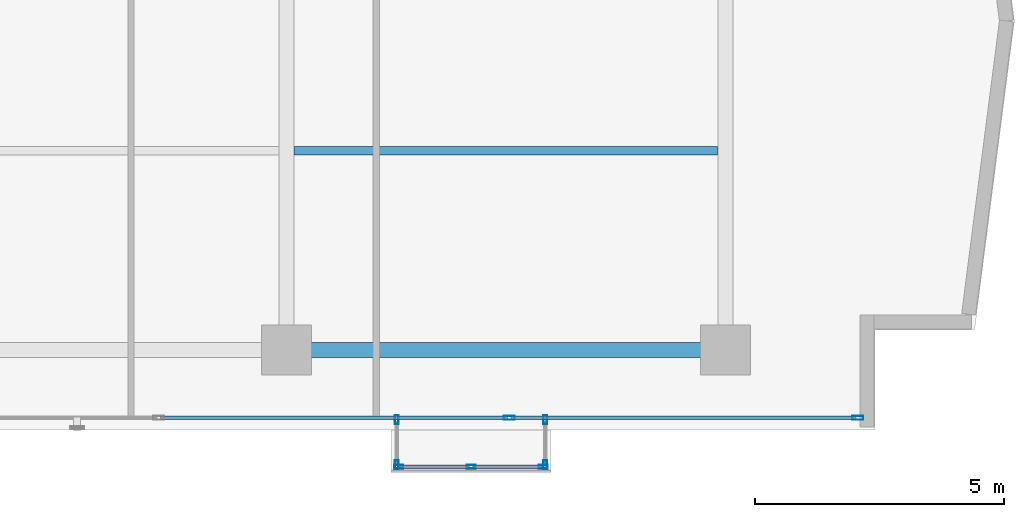
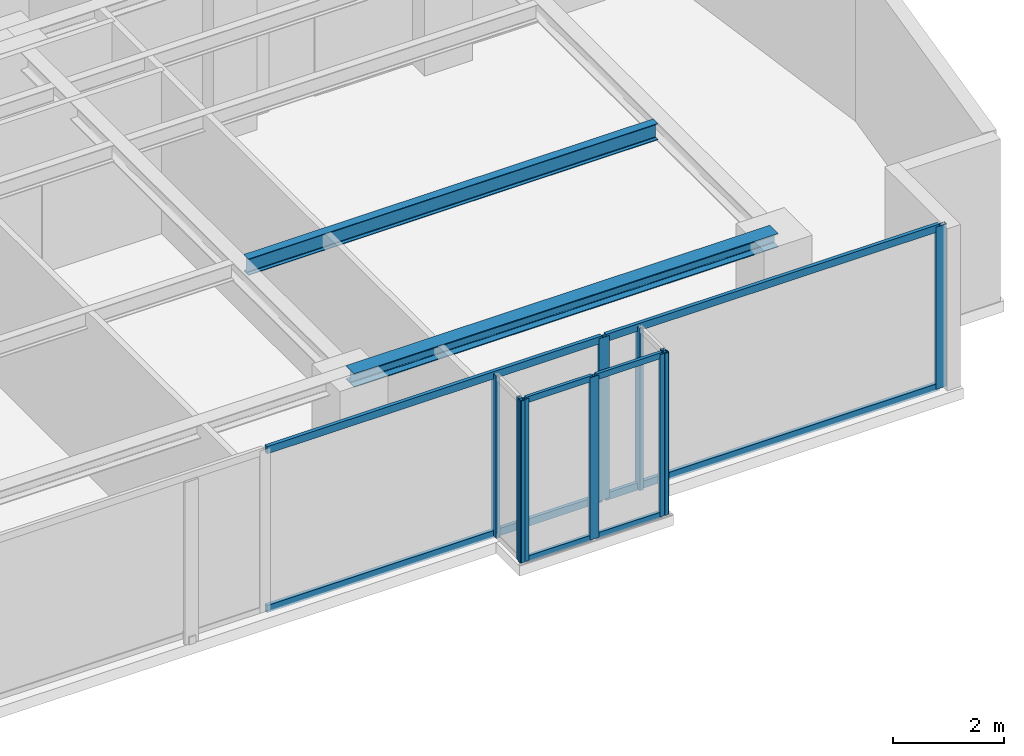
# One storey, part 10 of 23: 17 members, 2 beams, 4 elements without a shape of their own.
"""IFC4 building model written with IfcOpenShell, lengths in metres."""

import ifcopenshell
import ifcopenshell.guid

model = None  # the IFC model being written
_history = None  # IfcOwnerHistory: only IFC2X3 demands one
_inside = {}  # id of a spatial element -> (the spatial element, [elements in it])
_under = {}  # id of a project, library or spatial element -> (it, [spatial elements below it])
_declared = {}  # id of a project -> (the project, [libraries it declares])
_typed = {}  # id of a type object -> (the type object, [elements of that type])
_made_of = {}  # id of a material, layer set ... -> (it, [elements and type objects made of it])


def new_model(schema):
    """Start an empty IFC model of exactly this schema.

    Asked for "IFC4X3", IfcOpenShell would pick the latest addendum, in which some entities
    have other attributes; the version numbers below select the first issue.
    IFC2X3 requires an IfcOwnerHistory on every rooted entity: one is made here for all.
    """
    global model, _history
    if schema == "IFC4X3":
        model = ifcopenshell.file(schema_version=(4, 3, 0, 0))
    else:
        model = ifcopenshell.file(schema=schema)
    _inside.clear()
    _under.clear()
    _declared.clear()
    _typed.clear()
    _made_of.clear()
    _history = None
    if model.schema == "IFC2X3":
        org = make("IfcOrganization", Name="unknown")
        user = make(
            "IfcPersonAndOrganization",
            ThePerson=make("IfcPerson", FamilyName="unknown"),
            TheOrganization=org,
        )
        app = make(
            "IfcApplication",
            ApplicationDeveloper=org,
            Version="unknown",
            ApplicationFullName="unknown",
            ApplicationIdentifier="unknown",
        )
        _history = make(
            "IfcOwnerHistory",
            OwningUser=user,
            OwningApplication=app,
            ChangeAction="ADDED",
            CreationDate=0,
        )
    return model


def make(cls, **values):
    """One entity of the class cls with the attributes given. An attribute that is None is left unset."""
    return model.create_entity(
        cls, **{name: value for name, value in values.items() if value is not None}
    )


def rooted(cls, **values):
    """An entity with a GlobalId (a new one), such as an element, a storey or a relation."""
    return make(cls, GlobalId=ifcopenshell.guid.new(), OwnerHistory=_history, **values)


def si_unit(unit_type, name, prefix=None):
    """IfcSIUnit, for example si_unit("LENGTHUNIT", "METRE", prefix="MILLI")."""
    return make("IfcSIUnit", UnitType=unit_type, Prefix=prefix, Name=name)


def assignment(units):
    """IfcUnitAssignment: the units of a project."""
    return None if units is None else make("IfcUnitAssignment", Units=units)


def point(xyz):
    """IfcCartesianPoint."""
    return None if xyz is None else make("IfcCartesianPoint", Coordinates=xyz)


def direction(xyz):
    """IfcDirection."""
    return None if xyz is None else make("IfcDirection", DirectionRatios=xyz)


def frame(location, z_axis=None, x_axis=None):
    """IfcAxis2Placement3D, a coordinate frame: its origin and axes. An axis left out is left unset."""
    return make(
        "IfcAxis2Placement3D",
        Location=point(location),
        Axis=direction(z_axis),
        RefDirection=direction(x_axis),
    )


def frame_2d(location, x_axis=None):
    """IfcAxis2Placement2D, a coordinate frame in the plane: its origin and x axis."""
    return make(
        "IfcAxis2Placement2D", Location=point(location), RefDirection=direction(x_axis)
    )


def origin():
    """The frame at (0, 0, 0) with its axes left unset."""
    return frame((0.0, 0.0, 0.0))


def origin_with_axes():
    """The frame at (0, 0, 0) with the z axis (0, 0, 1) and the x axis (1, 0, 0) written out."""
    return frame((0.0, 0.0, 0.0), z_axis=(0.0, 0.0, 1.0), x_axis=(1.0, 0.0, 0.0))


def origin_2d():
    """The frame at (0, 0) in the plane with its x axis left unset."""
    return frame_2d((0.0, 0.0))


def place(relative_to, where):
    """IfcLocalPlacement: puts the frame where relative to a parent placement (None: the world)."""
    return make(
        "IfcLocalPlacement", PlacementRelTo=relative_to, RelativePlacement=where
    )


def context(
    kind, dimensions, precision=None, world=None, true_north=None, identifier=None
):
    """IfcGeometricRepresentationContext, for example the 3D "Model" context."""
    return make(
        "IfcGeometricRepresentationContext",
        ContextIdentifier=identifier,
        ContextType=kind,
        CoordinateSpaceDimension=dimensions,
        Precision=precision,
        WorldCoordinateSystem=world,
        TrueNorth=true_north,
    )


def subcontext(parent, identifier, kind, view, scale=None):
    """IfcGeometricRepresentationSubContext, for example "Body" below "Model"."""
    return make(
        "IfcGeometricRepresentationSubContext",
        ContextIdentifier=identifier,
        ContextType=kind,
        ParentContext=parent,
        TargetScale=scale,
        TargetView=view,
    )


def project(units=None, contexts=None):
    """IfcProject with its units and contexts."""
    return rooted(
        "IfcProject",
        Name="project",
        RepresentationContexts=contexts,
        UnitsInContext=assignment(units),
    )


def spatial(cls, under=None, at=None, **own):
    """A site, building, storey or space (cls), placed at a placement, below another one or the project."""
    s = rooted(cls, ObjectPlacement=at, **own)
    if under is not None:
        _under.setdefault(under.id(), (under, []))[1].append(s)
    return s


def profile(cls, at=None, kind="AREA", **sizes):
    """A parametric profile (cls). Its sizes go by their IFC names, for example OverallWidth=200.0."""
    return make(cls, ProfileType=kind, Position=at, **sizes)


def hollow_rectangle(**sizes):
    """IfcRectangleHollowProfileDef."""
    return profile("IfcRectangleHollowProfileDef", **sizes)


def i_section(**sizes):
    """IfcIShapeProfileDef."""
    return profile("IfcIShapeProfileDef", **sizes)


def extrude(swept, where, along, depth):
    """IfcExtrudedAreaSolid: the profile swept, set in the frame where, extruded along a direction by depth."""
    return make(
        "IfcExtrudedAreaSolid",
        SweptArea=swept,
        Position=where,
        ExtrudedDirection=direction(along),
        Depth=depth,
    )


def shape(context_of_items, identifier, shape_type, items):
    """IfcShapeRepresentation: the items that make up one representation, for example the "Body"."""
    return make(
        "IfcShapeRepresentation",
        ContextOfItems=context_of_items,
        RepresentationIdentifier=identifier,
        RepresentationType=shape_type,
        Items=items,
    )


def source(mapping_origin, context_of_items, identifier, shape_type, items):
    """IfcRepresentationMap: a shape defined once, which mapped items show again and again."""
    return make(
        "IfcRepresentationMap",
        MappingOrigin=mapping_origin,
        MappedRepresentation=shape(context_of_items, identifier, shape_type, items),
    )


def transform(
    local_origin,
    x_axis=None,
    y_axis=None,
    z_axis=None,
    scale=None,
    scale2=None,
    scale3=None,
    uniform=True,
):
    """IfcCartesianTransformationOperator3D, or its non-uniform kind. x_axis, y_axis, z_axis: its Axis1, 2, 3."""
    if uniform:
        return make(
            "IfcCartesianTransformationOperator3D",
            Axis1=direction(x_axis),
            Axis2=direction(y_axis),
            LocalOrigin=point(local_origin),
            Scale=scale,
            Axis3=direction(z_axis),
        )
    return make(
        "IfcCartesianTransformationOperator3DnonUniform",
        Axis1=direction(x_axis),
        Axis2=direction(y_axis),
        LocalOrigin=point(local_origin),
        Scale=scale,
        Axis3=direction(z_axis),
        Scale2=scale2,
        Scale3=scale3,
    )


def mapped(mapping_source, mapping_target):
    """IfcMappedItem: shows the shape of a source again, moved by a transform."""
    return make(
        "IfcMappedItem", MappingSource=mapping_source, MappingTarget=mapping_target
    )


def material(Name=None, Category=None):
    """IfcMaterial."""
    return make("IfcMaterial", Name=Name, Category=Category)


def layer(
    of_material, thickness, ventilated=None, Name=None, Category=None, Priority=None
):
    """IfcMaterialLayer: one layer of a wall or slab, of a material (None: an air gap)."""
    return make(
        "IfcMaterialLayer",
        Material=of_material,
        LayerThickness=thickness,
        IsVentilated=ventilated,
        Name=Name,
        Category=Category,
        Priority=Priority,
    )


def layer_set(layers, Name=None):
    """IfcMaterialLayerSet."""
    return make("IfcMaterialLayerSet", MaterialLayers=layers, LayerSetName=Name)


def material_profile(
    of_material, cross_section, Name=None, Category=None, Priority=None
):
    """IfcMaterialProfile: a cross section and its material."""
    return make(
        "IfcMaterialProfile",
        Name=Name,
        Material=of_material,
        Profile=cross_section,
        Priority=Priority,
        Category=Category,
    )


def profile_set(profiles, Name=None, composite=None):
    """IfcMaterialProfileSet."""
    return make(
        "IfcMaterialProfileSet",
        Name=Name,
        MaterialProfiles=profiles,
        CompositeProfile=composite,
    )


def made_of(thing, what):
    """Note that an element or type object is made of a material, layer set ...; save() writes the relation."""
    if what is not None:
        _made_of.setdefault(what.id(), (what, []))[1].append(thing)
    return thing


def type_object(cls, material=None, **own):
    """A type object (cls), such as IfcWallType, which elements share."""
    return made_of(rooted(cls, **own), material)


def element(
    cls,
    number,
    at=None,
    inside=None,
    cuts=None,
    type_object=None,
    material=None,
    context=None,
    identifier="Body",
    shape_type=None,
    held_by="IfcProductDefinitionShape",
    body=None,
    shapes=None,
    **own,
):
    """One element of the class cls, such as IfcWall. Its Tag is "e" and its number.

    at: its placement. inside: the storey or other place that contains it. cuts: it is an
    opening in that element (IfcRelVoidsElement). A single representation is given by context,
    identifier, shape_type and body (its items); several are given by shapes. held_by: the class
    of the entity that holds the representations. save() writes the other relations.
    """
    e = rooted(cls, Tag="e%d" % number, ObjectPlacement=at, **own)
    if body is not None:
        shapes = [shape(context, identifier, shape_type, body)]
    if shapes is not None:
        e.Representation = make(held_by, Representations=shapes)
    if inside is not None:
        _inside.setdefault(inside.id(), (inside, []))[1].append(e)
    if cuts is not None:
        rooted(
            "IfcRelVoidsElement", RelatingBuildingElement=cuts, RelatedOpeningElement=e
        )
    if type_object is not None:
        _typed.setdefault(type_object.id(), (type_object, []))[1].append(e)
    return made_of(e, material)


def aggregate(whole, parts):
    """IfcRelAggregates: a whole, such as a stair, and the parts it consists of."""
    return rooted("IfcRelAggregates", RelatingObject=whole, RelatedObjects=parts)


def save(model, path):
    """Write the relations noted so far, then the file.

    IfcRelAggregates (storeys below a building ...), IfcRelContainedInSpatialStructure (elements
    in a storey), IfcRelDefinesByType, IfcRelAssociatesMaterial and IfcRelDeclares: one each for
    every whole, place, type object, material and project.
    """
    for whole, parts in _under.values():
        aggregate(whole, parts)
    for where, things in _inside.values():
        rooted(
            "IfcRelContainedInSpatialStructure",
            RelatedElements=things,
            RelatingStructure=where,
        )
    for kind, things in _typed.values():
        rooted("IfcRelDefinesByType", RelatedObjects=things, RelatingType=kind)
    for what, things in _made_of.values():
        rooted("IfcRelAssociatesMaterial", RelatedObjects=things, RelatingMaterial=what)
    for by, libraries in _declared.values():
        rooted("IfcRelDeclares", RelatingContext=by, RelatedDefinitions=libraries)
    model.write(path)


model = new_model("IFC4")

# Units and contexts
model_context = context("Model", 3, precision=1e-05, world=origin(), true_north=direction((0.0, 1.0)))
body_context = subcontext(model_context, "Body", "Model", "MODEL_VIEW")
ifc_project = project(units=[si_unit("LENGTHUNIT", "METRE"), si_unit("AREAUNIT", "SQUARE_METRE"), si_unit("VOLUMEUNIT", "CUBIC_METRE"), si_unit("PLANEANGLEUNIT", "RADIAN"), si_unit("MASSUNIT", "GRAM", prefix="KILO")], contexts=[model_context])

# Site, building, storey
site_placement = place(None, origin())
site = spatial("IfcSite", under=ifc_project, at=site_placement, CompositionType="ELEMENT")
building_placement = place(site_placement, origin())
building = spatial("IfcBuilding", under=site, at=building_placement, Name="Kolvaren Waterfront Exchange", CompositionType="ELEMENT")
storey_placement = place(building_placement, frame((0.0, 0.0, 212.10009765625)))
storey = spatial("IfcBuildingStorey", under=building, at=storey_placement, Name="L54", CompositionType="ELEMENT", Elevation=212.10009765625)

# Beams
ifc_material_1 = material(Name="Steel S355", Category="steel")
ifc_material_profile_1 = material_profile(ifc_material_1, i_section(OverallWidth=0.300048828125, OverallDepth=0.300048828125, WebThickness=0.010986328125, FlangeThickness=0.01904296875, FilletRadius=0.027099609375, at=origin_2d()), Name="HEB300")
ifc_profile_set_1 = profile_set([ifc_material_profile_1], Name="Steel S355")
beam_type_1 = type_object("IfcBeamType", Name="STR-BM-HEB300", PredefinedType="SPANDREL", material=ifc_profile_set_1)
beam_1_placement = place(storey_placement, frame((36.800048828125, 5.199951171875, 3.409912109375), z_axis=(1.0, 0.0, 0.0), x_axis=(0.0, 1.0, 0.0)))
element("IfcBeam", 1, at=beam_1_placement, inside=storey, type_object=beam_type_1, Name="L54 east-arm spandrel S3", PredefinedType="SPANDREL", context=body_context, shape_type="SweptSolid", body=[
    extrude(i_section(OverallWidth=0.300048828125, OverallDepth=0.300048828125, WebThickness=0.010986328125, FlangeThickness=0.01904296875, FilletRadius=0.027099609375, at=origin_2d()), origin(), (0.0, 0.0, 1.0), 8.800048828125),
])
ifc_material_profile_2 = material_profile(ifc_material_1, i_section(OverallWidth=0.169921875, OverallDepth=0.360107421875, WebThickness=0.008056640625, FlangeThickness=0.0126953125, FilletRadius=0.01806640625, at=origin_2d()), Name="IPE360")
ifc_profile_set_2 = profile_set([ifc_material_profile_2], Name="Steel S355")
beam_type_2 = type_object("IfcBeamType", Name="STR-BM-IPE360", PredefinedType="JOIST", material=ifc_profile_set_2)
beam_2_placement = place(storey_placement, frame((36.951904296875, 9.199951171875, 3.3798828125), z_axis=(1.0, 0.0, 0.0), x_axis=(0.0, 1.0, 0.0)))
element("IfcBeam", 2, at=beam_2_placement, inside=storey, type_object=beam_type_2, Name="L54 east-arm composite joist 3B", PredefinedType="JOIST", context=body_context, shape_type="SweptSolid", body=[
    extrude(i_section(OverallWidth=0.169921875, OverallDepth=0.360107421875, WebThickness=0.008056640625, FlangeThickness=0.0126953125, FilletRadius=0.01806640625, at=origin_2d()), origin(), (0.0, 0.0, 1.0), 8.49609375),
])

# Curtain wall, members
ifc_material_2 = material(Name="Anodised bronze aluminium 6063-T6", Category="aluminium")
ifc_layer_1 = layer(ifc_material_2, 0.219970703125, Name="Anodised bronze aluminium 6063-T6")
ifc_layer_set_1 = layer_set([ifc_layer_1], Name="Anodised bronze aluminium 6063-T6")
curtain_wall_type_1 = type_object("IfcCurtainWallType", Name="ARC-CW-SYS3", PredefinedType="USERDEFINED", material=ifc_layer_set_1)
curtain_wall_1_placement = place(storey_placement, origin())
curtain_wall_1 = element("IfcCurtainWall", 3, at=curtain_wall_1_placement, inside=storey, type_object=curtain_wall_type_1, Name="L54 stick curtain wall CW3 (CW-L54-BOX)", ObjectType="STICK CURTAIN WALL", PredefinedType="USERDEFINED")
ifc_material_profile_3 = material_profile(ifc_material_2, hollow_rectangle(XDim=0.06494140625, YDim=0.1298828125, WallThickness=0.00390625, at=origin_2d()), Name="ALU-TRN-130x65x4")
ifc_profile_set_3 = profile_set([ifc_material_profile_3], Name="Anodised bronze aluminium 6063-T6")
member_type_1 = type_object("IfcMemberType", Name="ARC-CWT-130", PredefinedType="USERDEFINED", material=ifc_profile_set_3)
shared_shape_1 = source(origin_with_axes(), body_context, "Body", "SweptSolid", [
    extrude(hollow_rectangle(XDim=0.06494140625, YDim=0.1298828125, WallThickness=0.00390625, at=origin_2d()), origin(), (0.0, 0.0, 1.0), 1.37744140625),
])
member_1_placement = place(storey_placement, frame((39.0849609375, 2.860107421875, 0.032470703125), z_axis=(1.0, 0.0, 0.0), x_axis=(0.0, 1.0, 0.0)))
member_1 = element("IfcMember", 4, at=member_1_placement, type_object=member_type_1, Name="CW3 transom 1.1", ObjectType="TRANSOM", PredefinedType="USERDEFINED", context=body_context, shape_type="MappedRepresentation", body=[
    mapped(shared_shape_1, transform((0.0, 0.0, 0.0), x_axis=(1.0, 0.0, 0.0), y_axis=(0.0, 1.0, 0.0), z_axis=(0.0, 0.0, 1.0), scale=1.0)),
])
member_2_placement = place(storey_placement, frame((39.0849609375, 2.860107421875, 3.52734375), z_axis=(1.0, 0.0, 0.0), x_axis=(0.0, 1.0, 0.0)))
member_2 = element("IfcMember", 5, at=member_2_placement, type_object=member_type_1, Name="CW3 transom 1.2", ObjectType="TRANSOM", PredefinedType="USERDEFINED", context=body_context, shape_type="MappedRepresentation", body=[
    mapped(shared_shape_1, transform((0.0, 0.0, 0.0), x_axis=(1.0, 0.0, 0.0), y_axis=(0.0, 1.0, 0.0), z_axis=(0.0, 0.0, 1.0), scale=1.0)),
])
member_3_placement = place(storey_placement, frame((40.53759765625, 2.860107421875, 0.032470703125), z_axis=(1.0, 0.0, 0.0), x_axis=(0.0, 1.0, 0.0)))
member_3 = element("IfcMember", 6, at=member_3_placement, type_object=member_type_1, Name="CW3 transom 2.1", ObjectType="TRANSOM", PredefinedType="USERDEFINED", context=body_context, shape_type="MappedRepresentation", body=[
    mapped(shared_shape_1, transform((0.0, 0.0, 0.0), x_axis=(1.0, 0.0, 0.0), y_axis=(0.0, 1.0, 0.0), z_axis=(0.0, 0.0, 1.0), scale=1.0)),
])
member_4_placement = place(storey_placement, frame((40.53759765625, 2.860107421875, 3.52734375), z_axis=(1.0, 0.0, 0.0), x_axis=(0.0, 1.0, 0.0)))
member_4 = element("IfcMember", 7, at=member_4_placement, type_object=member_type_1, Name="CW3 transom 2.2", ObjectType="TRANSOM", PredefinedType="USERDEFINED", context=body_context, shape_type="MappedRepresentation", body=[
    mapped(shared_shape_1, transform((0.0, 0.0, 0.0), x_axis=(1.0, 0.0, 0.0), y_axis=(0.0, 1.0, 0.0), z_axis=(0.0, 0.0, 1.0), scale=1.0)),
])

curtain_wall_2_placement = place(storey_placement, origin())
curtain_wall_2 = element("IfcCurtainWall", 8, at=curtain_wall_2_placement, inside=storey, type_object=curtain_wall_type_1, Name="L54 stick curtain wall CW3 (CW-L54-BOX-W)", ObjectType="STICK CURTAIN WALL", PredefinedType="USERDEFINED")
ifc_material_profile_4 = material_profile(ifc_material_2, hollow_rectangle(XDim=0.074951171875, YDim=0.179931640625, WallThickness=0.00439453125, at=origin_2d()), Name="ALU-MUL-180x75x4.5")
ifc_profile_set_4 = profile_set([ifc_material_profile_4], Name="Anodised bronze aluminium 6063-T6")
member_type_2 = type_object("IfcMemberType", Name="ARC-CWM-180", PredefinedType="MULLION", material=ifc_profile_set_4)
shared_shape_2 = source(origin_with_axes(), body_context, "Body", "SweptSolid", [
    extrude(hollow_rectangle(XDim=0.074951171875, YDim=0.179931640625, WallThickness=0.00439453125, at=origin_2d()), origin(), (0.0, 0.0, 1.0), 3.559814453125),
])
member_5_placement = place(storey_placement, frame((39.010009765625, 3.802490234375, 0.0), z_axis=(0.0, 0.0, 1.0), x_axis=(1.0, 0.0, 0.0)))
member_5 = element("IfcMember", 9, at=member_5_placement, type_object=member_type_2, Name="CW3 mullion 1", PredefinedType="MULLION", context=body_context, shape_type="MappedRepresentation", body=[
    mapped(shared_shape_2, transform((0.0, 0.0, 0.0), x_axis=(1.0, 0.0, 0.0), y_axis=(0.0, 1.0, 0.0), z_axis=(0.0, 0.0, 1.0), scale=1.0)),
])
member_6_placement = place(storey_placement, frame((39.010009765625, 2.8974609375, 0.0), z_axis=(0.0, 0.0, 1.0), x_axis=(1.0, 0.0, 0.0)))
member_6 = element("IfcMember", 10, at=member_6_placement, type_object=member_type_2, Name="CW3 mullion 2", PredefinedType="MULLION", context=body_context, shape_type="MappedRepresentation", body=[
    mapped(shared_shape_2, transform((0.0, 0.0, 0.0), x_axis=(1.0, 0.0, 0.0), y_axis=(0.0, 1.0, 0.0), z_axis=(0.0, 0.0, 1.0), scale=1.0)),
])
aggregate(curtain_wall_2, [member_5, member_6])

# Member
member_7_placement = place(storey_placement, frame((39.047607421875, 2.860107421875, 0.0), z_axis=(0.0, 0.0, 1.0), x_axis=(0.0, 1.0, 0.0)))
member_7 = element("IfcMember", 11, at=member_7_placement, type_object=member_type_2, Name="CW3 mullion 1", PredefinedType="MULLION", context=body_context, shape_type="MappedRepresentation", body=[
    mapped(shared_shape_2, transform((0.0, 0.0, 0.0), x_axis=(1.0, 0.0, 0.0), y_axis=(0.0, 1.0, 0.0), z_axis=(0.0, 0.0, 1.0), scale=1.0)),
])

member_8_placement = place(storey_placement, frame((40.5, 2.860107421875, 0.0), z_axis=(0.0, 0.0, 1.0), x_axis=(0.0, 1.0, 0.0)))
member_8 = element("IfcMember", 12, at=member_8_placement, type_object=member_type_2, Name="CW3 mullion 2", PredefinedType="MULLION", context=body_context, shape_type="MappedRepresentation", body=[
    mapped(shared_shape_2, transform((0.0, 0.0, 0.0), x_axis=(1.0, 0.0, 0.0), y_axis=(0.0, 1.0, 0.0), z_axis=(0.0, 0.0, 1.0), scale=1.0)),
])

member_9_placement = place(storey_placement, frame((41.952392578125, 2.860107421875, 0.0), z_axis=(0.0, 0.0, 1.0), x_axis=(0.0, 1.0, 0.0)))
member_9 = element("IfcMember", 13, at=member_9_placement, type_object=member_type_2, Name="CW3 mullion 3", PredefinedType="MULLION", context=body_context, shape_type="MappedRepresentation", body=[
    mapped(shared_shape_2, transform((0.0, 0.0, 0.0), x_axis=(1.0, 0.0, 0.0), y_axis=(0.0, 1.0, 0.0), z_axis=(0.0, 0.0, 1.0), scale=1.0)),
])

aggregate(curtain_wall_1, [member_7, member_8, member_9, member_1, member_2, member_3, member_4])

# Curtain wall, members
curtain_wall_3_placement = place(storey_placement, origin())
curtain_wall_3 = element("IfcCurtainWall", 14, at=curtain_wall_3_placement, inside=storey, type_object=curtain_wall_type_1, Name="L54 stick curtain wall CW3 (CW-L54-BOX-E)", ObjectType="STICK CURTAIN WALL", PredefinedType="USERDEFINED")
member_10_placement = place(storey_placement, frame((41.989990234375, 2.8974609375, 0.0), z_axis=(0.0, 0.0, 1.0), x_axis=(-1.0, 0.0, 0.0)))
member_10 = element("IfcMember", 15, at=member_10_placement, type_object=member_type_2, Name="CW3 mullion 1", PredefinedType="MULLION", context=body_context, shape_type="MappedRepresentation", body=[
    mapped(shared_shape_2, transform((0.0, 0.0, 0.0), x_axis=(1.0, 0.0, 0.0), y_axis=(0.0, 1.0, 0.0), z_axis=(0.0, 0.0, 1.0), scale=1.0)),
])
member_11_placement = place(storey_placement, frame((41.989990234375, 3.802490234375, 0.0), z_axis=(0.0, 0.0, 1.0), x_axis=(-1.0, 0.0, 0.0)))
member_11 = element("IfcMember", 16, at=member_11_placement, type_object=member_type_2, Name="CW3 mullion 2", PredefinedType="MULLION", context=body_context, shape_type="MappedRepresentation", body=[
    mapped(shared_shape_2, transform((0.0, 0.0, 0.0), x_axis=(1.0, 0.0, 0.0), y_axis=(0.0, 1.0, 0.0), z_axis=(0.0, 0.0, 1.0), scale=1.0)),
])
aggregate(curtain_wall_3, [member_10, member_11])

ifc_layer_2 = layer(ifc_material_2, 0.219970703125, Name="Anodised bronze aluminium 6063-T6")
ifc_layer_set_2 = layer_set([ifc_layer_2], Name="Anodised bronze aluminium 6063-T6")
curtain_wall_type_2 = type_object("IfcCurtainWallType", Name="ARC-CW-SYS1", PredefinedType="USERDEFINED", material=ifc_layer_set_2)
curtain_wall_4_placement = place(storey_placement, origin())
curtain_wall_4 = element("IfcCurtainWall", 17, at=curtain_wall_4_placement, inside=storey, type_object=curtain_wall_type_2, Name="L54 stick curtain wall CW1 (CW-L54-S)", ObjectType="STICK CURTAIN WALL", PredefinedType="USERDEFINED")
ifc_material_3 = material(Name="Anodised aluminium 6063-T6", Category="aluminium")
ifc_material_profile_5 = material_profile(ifc_material_3, hollow_rectangle(XDim=0.080078125, YDim=0.219970703125, WallThickness=0.0048828125, at=origin_2d()), Name="ALU-MUL-220x80x5")
ifc_profile_set_5 = profile_set([ifc_material_profile_5], Name="Anodised aluminium 6063-T6")
member_type_3 = type_object("IfcMemberType", Name="ARC-CWM-220", PredefinedType="MULLION", material=ifc_profile_set_5)
shared_shape_3 = source(origin_with_axes(), body_context, "Body", "SweptSolid", [
    extrude(hollow_rectangle(XDim=0.080078125, YDim=0.219970703125, WallThickness=0.0048828125, at=origin_2d()), origin(), (0.0, 0.0, 1.0), 3.559814453125),
])
member_12_placement = place(storey_placement, frame((41.2666015625, 3.840087890625, 0.0), z_axis=(0.0, 0.0, 1.0), x_axis=(0.0, 1.0, 0.0)))
member_12 = element("IfcMember", 18, at=member_12_placement, type_object=member_type_3, Name="CW1 mullion 6", PredefinedType="MULLION", context=body_context, shape_type="MappedRepresentation", body=[
    mapped(shared_shape_3, transform((0.0, 0.0, 0.0), x_axis=(1.0, 0.0, 0.0), y_axis=(0.0, 1.0, 0.0), z_axis=(0.0, 0.0, 1.0), scale=1.0)),
])
member_13_placement = place(storey_placement, frame((48.260009765625, 3.840087890625, 0.0), z_axis=(0.0, 0.0, 1.0), x_axis=(0.0, 1.0, 0.0)))
member_13 = element("IfcMember", 19, at=member_13_placement, type_object=member_type_3, Name="CW1 mullion 7", PredefinedType="MULLION", context=body_context, shape_type="MappedRepresentation", body=[
    mapped(shared_shape_3, transform((0.0, 0.0, 0.0), x_axis=(1.0, 0.0, 0.0), y_axis=(0.0, 1.0, 0.0), z_axis=(0.0, 0.0, 1.0), scale=1.0)),
])
ifc_material_profile_6 = material_profile(ifc_material_3, hollow_rectangle(XDim=0.074951171875, YDim=0.159912109375, WallThickness=0.00439453125, at=origin_2d()), Name="ALU-TRN-160x75x4.5")
ifc_profile_set_6 = profile_set([ifc_material_profile_6], Name="Anodised aluminium 6063-T6")
member_type_4 = type_object("IfcMemberType", Name="ARC-CWT-160", PredefinedType="USERDEFINED", material=ifc_profile_set_6)
shared_shape_4 = source(origin_with_axes(), body_context, "Body", "SweptSolid", [
    extrude(hollow_rectangle(XDim=0.074951171875, YDim=0.159912109375, WallThickness=0.00439453125, at=origin_2d()), origin(), (0.0, 0.0, 1.0), 6.913330078125),
])
member_14_placement = place(storey_placement, frame((41.306640625, 3.840087890625, 0.037353515625), z_axis=(1.0, 0.0, 0.0), x_axis=(0.0, 1.0, 0.0)))
member_14 = element("IfcMember", 20, at=member_14_placement, type_object=member_type_4, Name="CW1 transom 6.1", ObjectType="TRANSOM", PredefinedType="USERDEFINED", context=body_context, shape_type="MappedRepresentation", body=[
    mapped(shared_shape_4, transform((0.0, 0.0, 0.0), x_axis=(1.0, 0.0, 0.0), y_axis=(0.0, 1.0, 0.0), z_axis=(0.0, 0.0, 1.0), scale=1.0)),
])
member_15_placement = place(storey_placement, frame((41.306640625, 3.840087890625, 3.5224609375), z_axis=(1.0, 0.0, 0.0), x_axis=(0.0, 1.0, 0.0)))
member_15 = element("IfcMember", 21, at=member_15_placement, type_object=member_type_4, Name="CW1 transom 6.2", ObjectType="TRANSOM", PredefinedType="USERDEFINED", context=body_context, shape_type="MappedRepresentation", body=[
    mapped(shared_shape_4, transform((0.0, 0.0, 0.0), x_axis=(1.0, 0.0, 0.0), y_axis=(0.0, 1.0, 0.0), z_axis=(0.0, 0.0, 1.0), scale=1.0)),
])
shared_shape_5 = source(origin_with_axes(), body_context, "Body", "SweptSolid", [
    extrude(hollow_rectangle(XDim=0.074951171875, YDim=0.159912109375, WallThickness=0.00439453125, at=origin_2d()), origin(), (0.0, 0.0, 1.0), 6.953125),
])
member_16_placement = place(storey_placement, frame((34.2734375, 3.840087890625, 0.037353515625), z_axis=(1.0, 0.0, 0.0), x_axis=(0.0, 1.0, 0.0)))
member_16 = element("IfcMember", 22, at=member_16_placement, type_object=member_type_4, Name="CW1 transom 5.1", ObjectType="TRANSOM", PredefinedType="USERDEFINED", context=body_context, shape_type="MappedRepresentation", body=[
    mapped(shared_shape_5, transform((0.0, 0.0, 0.0), x_axis=(1.0, 0.0, 0.0), y_axis=(0.0, 1.0, 0.0), z_axis=(0.0, 0.0, 1.0), scale=1.0)),
])
member_17_placement = place(storey_placement, frame((34.2734375, 3.840087890625, 3.5224609375), z_axis=(1.0, 0.0, 0.0), x_axis=(0.0, 1.0, 0.0)))
member_17 = element("IfcMember", 23, at=member_17_placement, type_object=member_type_4, Name="CW1 transom 5.2", ObjectType="TRANSOM", PredefinedType="USERDEFINED", context=body_context, shape_type="MappedRepresentation", body=[
    mapped(shared_shape_5, transform((0.0, 0.0, 0.0), x_axis=(1.0, 0.0, 0.0), y_axis=(0.0, 1.0, 0.0), z_axis=(0.0, 0.0, 1.0), scale=1.0)),
])
aggregate(curtain_wall_4, [member_12, member_13, member_16, member_17, member_14, member_15])

save(model, "model.ifc")
